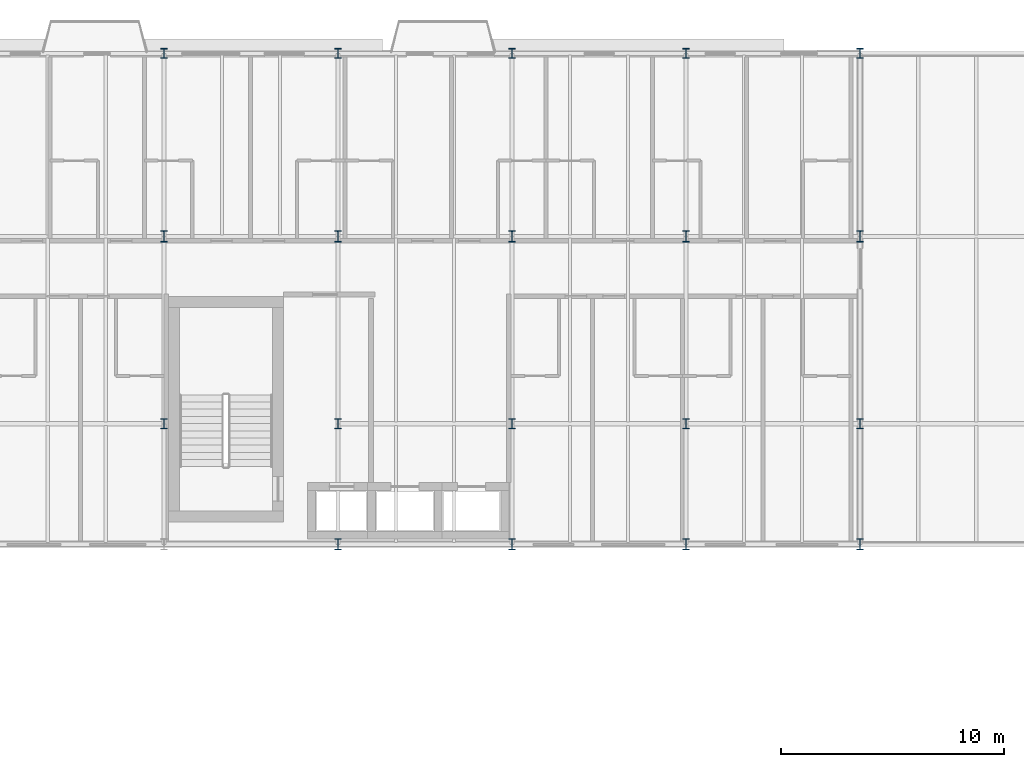
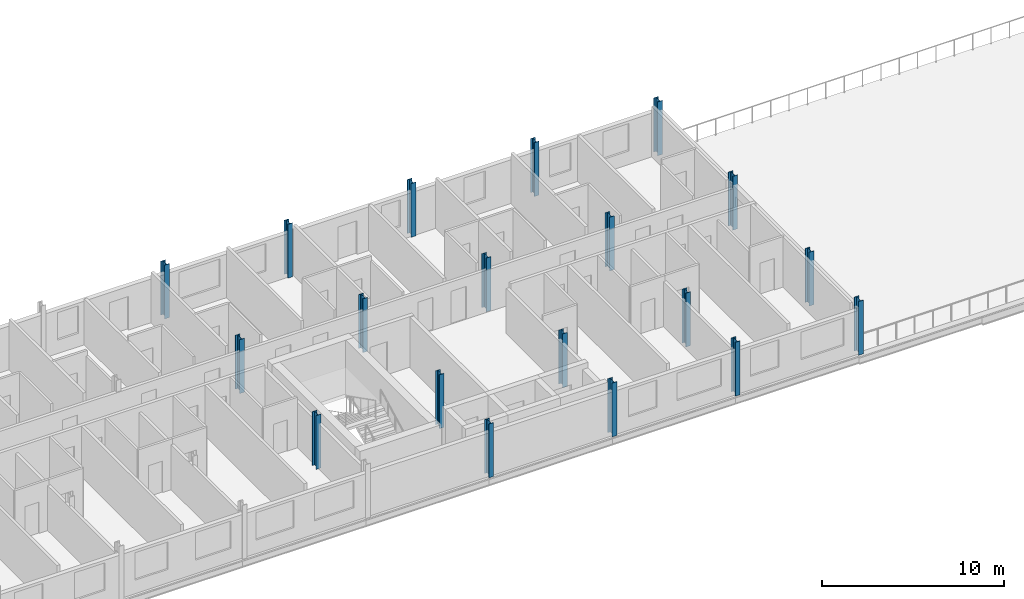
# One storey, part 3 of 30: 19 columns.
"""IFC4 building model written with IfcOpenShell, lengths in metres."""

from ifc_helpers import new_model, si_unit, direction, frame, origin, origin_2d, place, context, subcontext, project, spatial, i_section, extrude, material, material_profile, profile_set, type_object, element, save


model = new_model("IFC4")

# Units and contexts
model_context = context("Model", 3, precision=1e-05, world=origin(), true_north=direction((0.0, 1.0)))
body_context = subcontext(model_context, "Body", "Model", "MODEL_VIEW")
ifc_project = project(units=[si_unit("LENGTHUNIT", "METRE"), si_unit("AREAUNIT", "SQUARE_METRE"), si_unit("VOLUMEUNIT", "CUBIC_METRE"), si_unit("PLANEANGLEUNIT", "RADIAN"), si_unit("MASSUNIT", "GRAM", prefix="KILO")], contexts=[model_context])

# Site, building, storey
site_placement = place(None, origin())
site = spatial("IfcSite", under=ifc_project, at=site_placement, CompositionType="ELEMENT")
building_placement = place(site_placement, origin())
building = spatial("IfcBuilding", under=site, at=building_placement, Name="Sefraquen Railside Congress Hotel", CompositionType="ELEMENT")
storey_placement = place(building_placement, frame((0.0, 0.0, 35.39990234375)))
storey = spatial("IfcBuildingStorey", under=building, at=storey_placement, Name="L08", CompositionType="ELEMENT", Elevation=35.39990234375)

# Columns
ifc_material = material(Name="Steel S355JR", Category="steel")
ifc_material_profile_1 = material_profile(ifc_material, i_section(OverallWidth=0.300048828125, OverallDepth=0.449951171875, WebThickness=0.013916015625, FlangeThickness=0.02587890625, FilletRadius=0.027099609375, at=origin_2d()), Name="HEB 450")
ifc_profile_set_1 = profile_set([ifc_material_profile_1], Name="Steel S355JR")
column_type_1 = type_object("IfcColumnType", Name="TC-HEB-450", PredefinedType="COLUMN", material=ifc_profile_set_1)
for number, where, z_axis, x_axis, name in (
    (1, (64.199951171875, 101.39990234375, 0.0), (0.0, 0.0, 1.0), (1.0, 0.0, 0.0), "Structural column 9-N L08"),
    (2, (64.199951171875, 118.0, 0.0), (0.0, 0.0, 1.0), (1.0, 0.0, 0.0), "Structural column 9-Q L08"),
    (3, (72.0, 101.39990234375, 0.0), (0.0, 0.0, 1.0), (1.0, 0.0, 0.0), "Structural column 10-N L08"),
    (4, (72.0, 118.0, 0.0), (0.0, 0.0, 1.0), (1.0, 0.0, 0.0), "Structural column 10-Q L08"),
    (5, (79.800048828125, 101.39990234375, 0.0), (0.0, 0.0, 1.0), (1.0, 0.0, 0.0), "Structural column 11-N L08"),
    (6, (79.800048828125, 118.0, 0.0), (0.0, 0.0, 1.0), (1.0, 0.0, 0.0), "Structural column 11-Q L08"),
    (7, (87.60009765625, 101.39990234375, 0.0), (0.0, 0.0, 1.0), (1.0, 0.0, 0.0), "Structural column 12-N L08"),
    (8, (87.60009765625, 118.0, 0.0), (0.0, 0.0, 1.0), (1.0, 0.0, 0.0), "Structural column 12-Q L08"),
    (9, (95.39990234375, 101.39990234375, 0.0), (0.0, 0.0, 1.0), (1.0, 0.0, 0.0), "Structural column 13-N L08"),
    (10, (95.39990234375, 118.0, 0.0), (0.0, 0.0, 1.0), (1.0, 0.0, 0.0), "Structural column 13-Q L08"),
):
    element("IfcColumn", number, at=place(storey_placement, frame(where, z_axis=z_axis, x_axis=x_axis)), inside=storey, type_object=column_type_1, Name=name, PredefinedType="COLUMN", context=body_context, shape_type="SweptSolid", body=[
        extrude(i_section(OverallWidth=0.300048828125, OverallDepth=0.449951171875, WebThickness=0.013916015625, FlangeThickness=0.02587890625, FilletRadius=0.027099609375, at=origin_2d()), origin(), (0.0, 0.0, 1.0), 3.60009765625),
    ])
ifc_material_profile_2 = material_profile(ifc_material, i_section(OverallWidth=0.300048828125, OverallDepth=0.5, WebThickness=0.014404296875, FlangeThickness=0.028076171875, FilletRadius=0.027099609375, at=origin_2d()), Name="HEB 500")
ifc_profile_set_2 = profile_set([ifc_material_profile_2], Name="Steel S355JR")
column_type_2 = type_object("IfcColumnType", Name="TC-HEB-500", PredefinedType="COLUMN", material=ifc_profile_set_2)
for number, where, z_axis, x_axis, name in (
    (11, (64.199951171875, 109.800048828125, 0.0), (0.0, 0.0, 1.0), (1.0, 0.0, 0.0), "Structural column 9-P L08"),
    (12, (72.0, 96.0, 0.0), (0.0, 0.0, 1.0), (1.0, 0.0, 0.0), "Structural column 10-M L08"),
    (13, (72.0, 109.800048828125, 0.0), (0.0, 0.0, 1.0), (1.0, 0.0, 0.0), "Structural column 10-P L08"),
    (14, (79.800048828125, 96.0, 0.0), (0.0, 0.0, 1.0), (1.0, 0.0, 0.0), "Structural column 11-M L08"),
    (15, (79.800048828125, 109.800048828125, 0.0), (0.0, 0.0, 1.0), (1.0, 0.0, 0.0), "Structural column 11-P L08"),
    (16, (87.60009765625, 96.0, 0.0), (0.0, 0.0, 1.0), (1.0, 0.0, 0.0), "Structural column 12-M L08"),
    (17, (87.60009765625, 109.800048828125, 0.0), (0.0, 0.0, 1.0), (1.0, 0.0, 0.0), "Structural column 12-P L08"),
    (18, (95.39990234375, 96.0, 0.0), (0.0, 0.0, 1.0), (1.0, 0.0, 0.0), "Structural column 13-M L08"),
    (19, (95.39990234375, 109.800048828125, 0.0), (0.0, 0.0, 1.0), (1.0, 0.0, 0.0), "Structural column 13-P L08"),
):
    element("IfcColumn", number, at=place(storey_placement, frame(where, z_axis=z_axis, x_axis=x_axis)), inside=storey, type_object=column_type_2, Name=name, PredefinedType="COLUMN", context=body_context, shape_type="SweptSolid", body=[
        extrude(i_section(OverallWidth=0.300048828125, OverallDepth=0.5, WebThickness=0.014404296875, FlangeThickness=0.028076171875, FilletRadius=0.027099609375, at=origin_2d()), origin(), (0.0, 0.0, 1.0), 3.60009765625),
    ])

save(model, "model.ifc")
